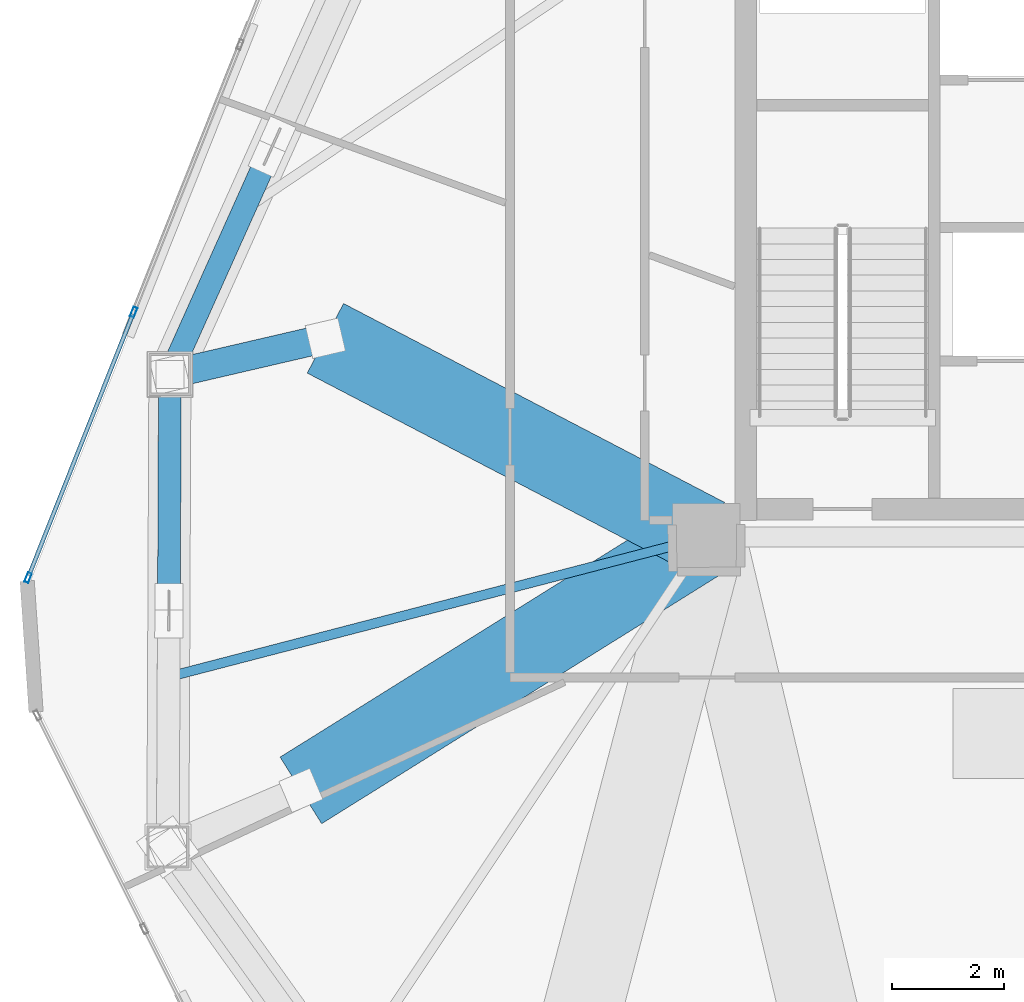
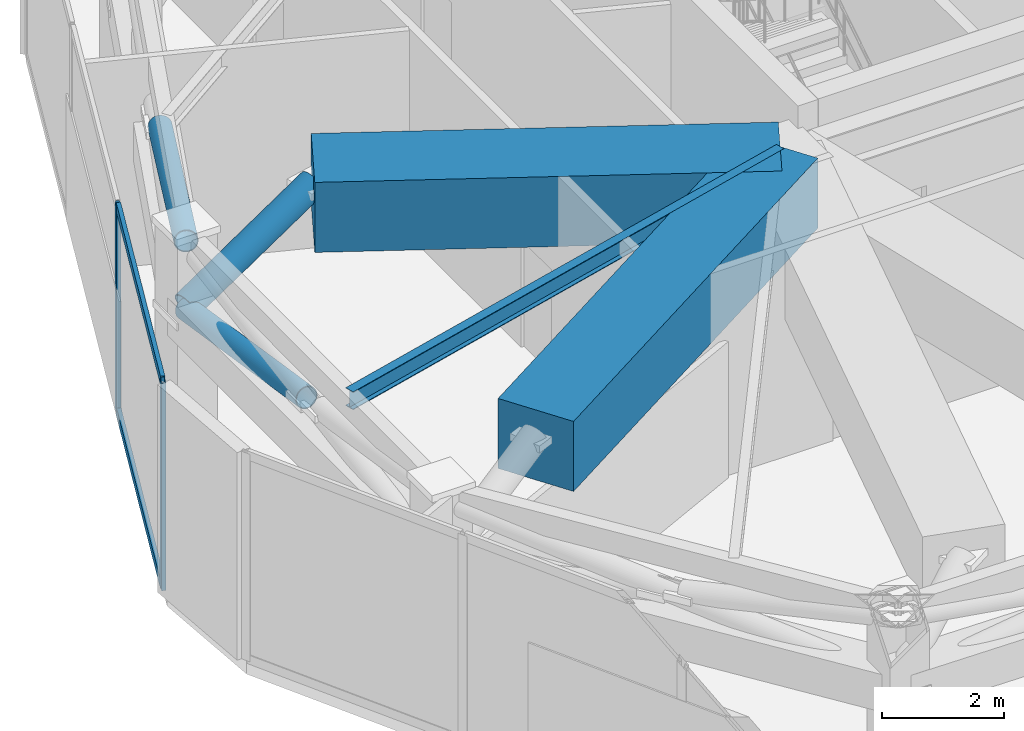
# One storey, part 7 of 21: 7 members, 3 beams, 1 element without a shape of its own.
"""IFC4 building model written with IfcOpenShell, lengths in metres."""

from ifc_helpers import new_model, si_unit, direction, frame, origin, origin_2d, place, context, subcontext, project, spatial, rectangle, hollow_rectangle, hollow_circle, i_section, extrude, source, transform, mapped, material, layer, layer_set, material_profile, profile_set, type_object, type_shapes, element, aggregate, save


model = new_model("IFC4")

# Units and contexts
model_context = context("Model", 3, precision=1e-05, world=origin(), true_north=direction((0.0, 1.0)))
body_context = subcontext(model_context, "Body", "Model", "MODEL_VIEW")
ifc_project = project(units=[si_unit("LENGTHUNIT", "METRE"), si_unit("AREAUNIT", "SQUARE_METRE"), si_unit("VOLUMEUNIT", "CUBIC_METRE"), si_unit("PLANEANGLEUNIT", "RADIAN"), si_unit("MASSUNIT", "GRAM", prefix="KILO")], contexts=[model_context])

# Site, building, storey
site_placement = place(None, origin())
site = spatial("IfcSite", under=ifc_project, at=site_placement, CompositionType="ELEMENT")
building_placement = place(site_placement, origin())
building = spatial("IfcBuilding", under=site, at=building_placement, Name="Talar Marvaseh", CompositionType="ELEMENT")
storey_placement = place(building_placement, frame((0.0, 0.0, 162.39990234375)))
storey = spatial("IfcBuildingStorey", under=building, at=storey_placement, Name="L42", CompositionType="ELEMENT", Elevation=162.39990234375)

# Beams
ifc_material_1 = material(Name="Concrete C70/85", Category="concrete")
ifc_material_profile_1 = material_profile(ifc_material_1, rectangle(XDim=1.39990234375, YDim=1.39990234375, at=origin_2d()), Name="RC1400x1400")
ifc_profile_set_1 = profile_set([ifc_material_profile_1], Name="Concrete C70/85")
beam_type_1 = type_object("IfcBeamType", Name="Setback Deep Concrete Transfer Girder RC1400x1400", PredefinedType="BEAM", material=ifc_profile_set_1)
beam_1_placement = place(storey_placement, frame((11.471923828125, 20.986083984375, 3.4501953125), z_axis=(0.848188171212, 0.52969503133, 0.0), x_axis=(-0.52969503133, 0.848188171212, 0.0)))
element("IfcBeam", 1, at=beam_1_placement, inside=storey, type_object=beam_type_1, Name="L42 Setback Backspan Transfer Girder 9", PredefinedType="BEAM", context=body_context, shape_type="SweptSolid", body=[
    extrude(rectangle(XDim=1.39990234375, YDim=1.39990234375, at=origin_2d()), origin(), (0.0, 0.0, 1.0), 8.521728515625),
])
beam_2_placement = place(storey_placement, frame((11.908935546875, 29.044921875, 3.4501953125), z_axis=(0.886489360055, -0.462748975697, 0.0), x_axis=(0.462748975697, 0.886489360055, 0.0)))
element("IfcBeam", 2, at=beam_2_placement, inside=storey, type_object=beam_type_1, Name="L42 Setback Backspan Transfer Girder 10", PredefinedType="BEAM", context=body_context, shape_type="SweptSolid", body=[
    extrude(rectangle(XDim=1.39990234375, YDim=1.39990234375, at=origin_2d()), origin(), (0.0, 0.0, 1.0), 7.66064453125),
])
ifc_material_2 = material(Name="Steel S355", Category="steel")
ifc_material_profile_2 = material_profile(ifc_material_2, i_section(OverallWidth=0.172119140625, OverallDepth=0.35791015625, WebThickness=0.0078125, FlangeThickness=0.01318359375, at=origin_2d()), Name="W360x57")
ifc_profile_set_2 = profile_set([ifc_material_profile_2], Name="Steel S355")
beam_type_2 = type_object("IfcBeamType", Name="Zone 2 Secondary Floor Joist W360x57", PredefinedType="JOIST", material=ifc_profile_set_2)
beam_3_placement = place(storey_placement, frame((9.1142578125, 23.010009765625, 3.97119140625), z_axis=(0.967878795094, 0.251417258772, 0.0), x_axis=(-0.251417258772, 0.967878795094, 0.0)))
element("IfcBeam", 3, at=beam_3_placement, inside=storey, type_object=beam_type_2, Name="L42 Zone 2 Secondary Floor Joist W360x57", PredefinedType="JOIST", context=body_context, shape_type="SweptSolid", body=[
    extrude(i_section(OverallWidth=0.172119140625, OverallDepth=0.35791015625, WebThickness=0.0078125, FlangeThickness=0.01318359375, at=origin_2d()), origin(), (0.0, 0.0, 1.0), 9.90380859375),
])

# Members
ifc_material_3 = material(Name="Steel S460", Category="steel")
ifc_material_profile_3 = material_profile(ifc_material_3, hollow_circle(Radius=0.25390625, WallThickness=0.02001953125, at=origin_2d()), Name="CHS508x20")
ifc_profile_set_3 = profile_set([ifc_material_profile_3], Name="Steel S460")
member_type_1 = type_object("IfcMemberType", Name="Crown Frame Diagonal Brace CHS508x20", PredefinedType="BRACE", material=ifc_profile_set_3)
shared_shape_1 = source(origin(), body_context, "Body", "SweptSolid", [
    extrude(hollow_circle(Radius=0.25390625, WallThickness=0.02001953125, at=origin_2d()), origin(), (0.0, 0.0, 1.0), 3.0498046875),
])
type_shapes(member_type_1, [shared_shape_1])
member_1_placement = place(storey_placement, frame((9.137939453125, 28.402099609375, 2.550048828125), z_axis=(0.908554823955, 0.210768709381, 0.360700267554), x_axis=(-0.225981371326, 0.974131623454, 0.0)))
element("IfcMember", 4, at=member_1_placement, inside=storey, type_object=member_type_1, Name="L42 Setback Transfer Raked Strut 10", PredefinedType="BRACE", context=body_context, shape_type="MappedRepresentation", body=[
    mapped(shared_shape_1, transform((0.0, 0.0, 0.0), x_axis=(1.0, 0.0, 0.0), y_axis=(0.0, 1.0, 0.0), z_axis=(0.0, 0.0, 1.0), scale=1.0)),
])
ifc_material_profile_4 = material_profile(ifc_material_3, hollow_circle(Radius=0.203125, WallThickness=0.01611328125, at=origin_2d()), Name="CHS406x16")
ifc_profile_set_4 = profile_set([ifc_material_profile_4], Name="Steel S460")
member_type_2 = type_object("IfcMemberType", Name="Belt Truss Diagonal Brace CHS406x16", PredefinedType="BRACE", material=ifc_profile_set_4)
shared_shape_2 = source(origin(), body_context, "Body", "SweptSolid", [
    extrude(hollow_circle(Radius=0.203125, WallThickness=0.01611328125, at=origin_2d()), origin(), (0.0, 0.0, 1.0), 4.0263671875),
])
member_2_placement = place(storey_placement, frame((9.137939453125, 28.402099609375, 2.5), z_axis=(-0.004305119746, -0.987388309044, 0.158258627279), x_axis=(0.999990494864, -0.004360066638, 0.0)))
element("IfcMember", 5, at=member_2_placement, inside=storey, type_object=member_type_2, Name="L42 Belt Truss Split Diagonal Lower 8", PredefinedType="BRACE", context=body_context, shape_type="MappedRepresentation", body=[
    mapped(shared_shape_2, transform((0.0, 0.0, 0.0), x_axis=(1.0, 0.0, 0.0), y_axis=(0.0, 1.0, 0.0), z_axis=(0.0, 0.0, 1.0), scale=1.0)),
])
shared_shape_3 = source(origin(), body_context, "Body", "SweptSolid", [
    extrude(hollow_circle(Radius=0.203125, WallThickness=0.01611328125, at=origin_2d()), origin(), (0.0, 0.0, 1.0), 4.258056640625),
])
type_shapes(member_type_2, [shared_shape_2, shared_shape_3])
member_3_placement = place(storey_placement, frame((10.86181640625, 32.242919921875, 3.211181640625), z_axis=(-0.404841487535, -0.901992109035, 0.150045343843), x_axis=(0.912320382078, -0.409477130552, 0.0)))
element("IfcMember", 6, at=member_3_placement, inside=storey, type_object=member_type_2, Name="L42 Belt Truss Split Diagonal Upper 9", PredefinedType="BRACE", context=body_context, shape_type="MappedRepresentation", body=[
    mapped(shared_shape_3, transform((0.0, 0.0, 0.0), x_axis=(1.0, 0.0, 0.0), y_axis=(0.0, 1.0, 0.0), z_axis=(0.0, 0.0, 1.0), scale=1.0)),
])

# Curtain wall, members
ifc_material_4 = material(Name="Architectural Aluminium", Category="aluminium")
ifc_layer = layer(ifc_material_4, 0.199951171875)
ifc_layer_set = layer_set([ifc_layer], Name="Architectural Aluminium")
curtain_wall_type = type_object("IfcCurtainWallType", Name="Unitised Acoustic Library Curtain Wall Z2", PredefinedType="NOTDEFINED", material=ifc_layer_set)
curtain_wall_placement = place(storey_placement, origin())
curtain_wall = element("IfcCurtainWall", 7, at=curtain_wall_placement, inside=storey, type_object=curtain_wall_type, Name="L42 Unitised Acoustic Library Curtain Wall Z2", PredefinedType="NOTDEFINED")
ifc_material_profile_5 = material_profile(ifc_material_4, hollow_rectangle(XDim=0.074951171875, YDim=0.179931640625, WallThickness=0.0048828125, at=origin_2d()), Name="RHS180x75x5")
ifc_profile_set_5 = profile_set([ifc_material_profile_5], Name="Architectural Aluminium")
member_type_3 = type_object("IfcMemberType", Name="Unitised Curtain Wall Transom RHS180x75x5", PredefinedType="USERDEFINED", material=ifc_profile_set_5)
shared_shape_4 = source(origin(), body_context, "Body", "SweptSolid", [
    extrude(hollow_rectangle(XDim=0.074951171875, YDim=0.179931640625, WallThickness=0.0048828125, at=origin_2d()), origin(), (0.0, 0.0, 1.0), 5.017578125),
])
type_shapes(member_type_3, [shared_shape_4])
member_4_placement = place(storey_placement, frame((6.624755859375, 24.814453125, 0.03759765625), z_axis=(0.36945197981, 0.929249823575, 0.0), x_axis=(-0.929249823575, 0.36945197981, 0.0)))
member_4 = element("IfcMember", 8, at=member_4_placement, type_object=member_type_3, Name="CW-Z2 transom 1.1", ObjectType="TRANSOM", PredefinedType="USERDEFINED", context=body_context, shape_type="MappedRepresentation", body=[
    mapped(shared_shape_4, transform((0.0, 0.0, 0.0), x_axis=(1.0, 0.0, 0.0), y_axis=(0.0, 1.0, 0.0), z_axis=(0.0, 0.0, 1.0), scale=1.0)),
])
member_5_placement = place(storey_placement, frame((6.624755859375, 24.814453125, 4.112548828125), z_axis=(0.36945197981, 0.929249823575, 0.0), x_axis=(-0.929249823575, 0.36945197981, 0.0)))
member_5 = element("IfcMember", 9, at=member_5_placement, type_object=member_type_3, Name="CW-Z2 transom 1.2", ObjectType="TRANSOM", PredefinedType="USERDEFINED", context=body_context, shape_type="MappedRepresentation", body=[
    mapped(shared_shape_4, transform((0.0, 0.0, 0.0), x_axis=(1.0, 0.0, 0.0), y_axis=(0.0, 1.0, 0.0), z_axis=(0.0, 0.0, 1.0), scale=1.0)),
])
ifc_material_profile_6 = material_profile(ifc_material_4, hollow_rectangle(XDim=0.074951171875, YDim=0.179931640625, WallThickness=0.0048828125, at=origin_2d()), Name="RHS180x75x5")
ifc_profile_set_6 = profile_set([ifc_material_profile_6], Name="Architectural Aluminium")
member_type_4 = type_object("IfcMemberType", Name="Unitised Curtain Wall Standard Mullion RHS180x75x5", PredefinedType="MULLION", material=ifc_profile_set_6)
shared_shape_5 = source(origin(), body_context, "Body", "SweptSolid", [
    extrude(hollow_rectangle(XDim=0.074951171875, YDim=0.179931640625, WallThickness=0.0048828125, at=origin_2d()), origin(), (0.0, 0.0, 1.0), 4.150146484375),
])
type_shapes(member_type_4, [shared_shape_5])
member_6_placement = place(storey_placement, frame((6.61083984375, 24.779541015625, 0.0), z_axis=(0.0, 0.0, 1.0), x_axis=(-0.929247234688, 0.369458491342, 0.0)))
member_6 = element("IfcMember", 10, at=member_6_placement, type_object=member_type_4, Name="CW-Z2 mullion 1", PredefinedType="MULLION", context=body_context, shape_type="MappedRepresentation", body=[
    mapped(shared_shape_5, transform((0.0, 0.0, 0.0), x_axis=(1.0, 0.0, 0.0), y_axis=(0.0, 1.0, 0.0), z_axis=(0.0, 0.0, 1.0), scale=1.0)),
])
member_7_placement = place(storey_placement, frame((8.492431640625, 29.511962890625, 0.0), z_axis=(0.0, 0.0, 1.0), x_axis=(-0.929247234688, 0.369458491342, 0.0)))
member_7 = element("IfcMember", 11, at=member_7_placement, type_object=member_type_4, Name="CW-Z2 mullion 2", PredefinedType="MULLION", context=body_context, shape_type="MappedRepresentation", body=[
    mapped(shared_shape_5, transform((0.0, 0.0, 0.0), x_axis=(1.0, 0.0, 0.0), y_axis=(0.0, 1.0, 0.0), z_axis=(0.0, 0.0, 1.0), scale=1.0)),
])
aggregate(curtain_wall, [member_6, member_7, member_4, member_5])

save(model, "model.ifc")
